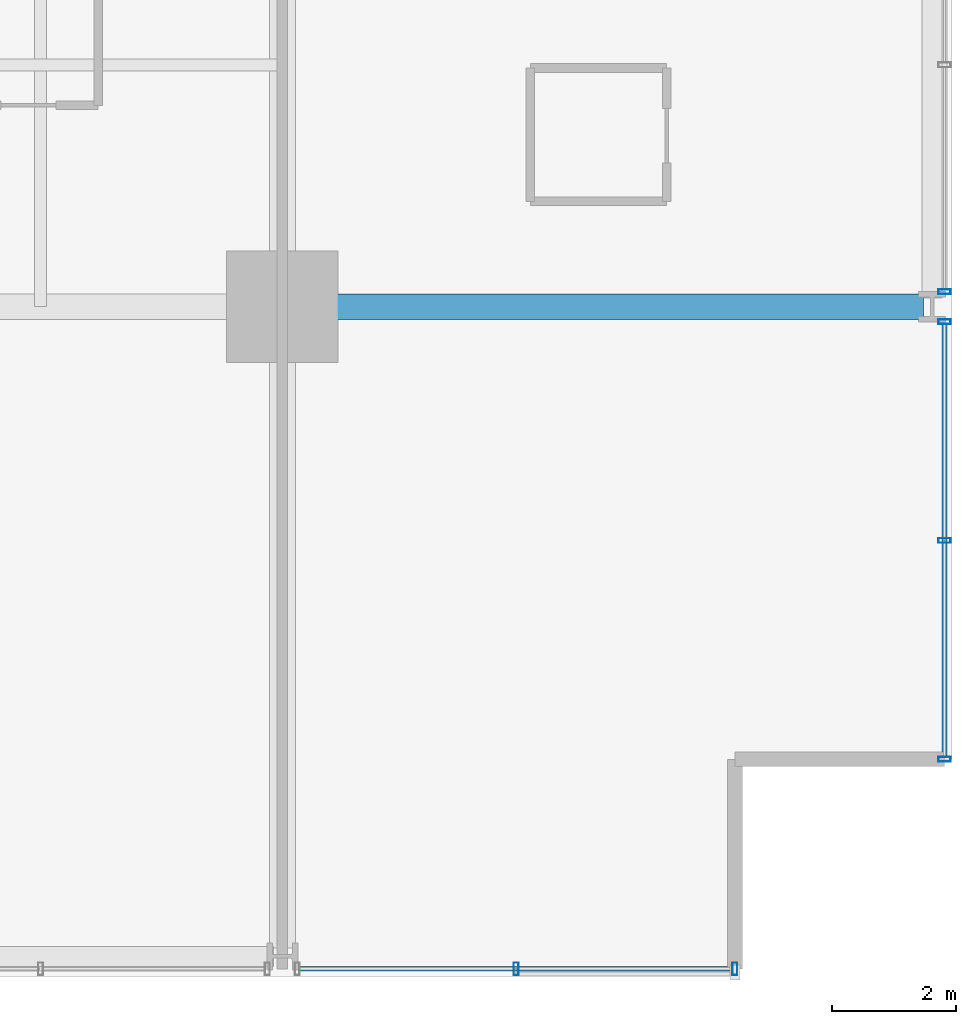
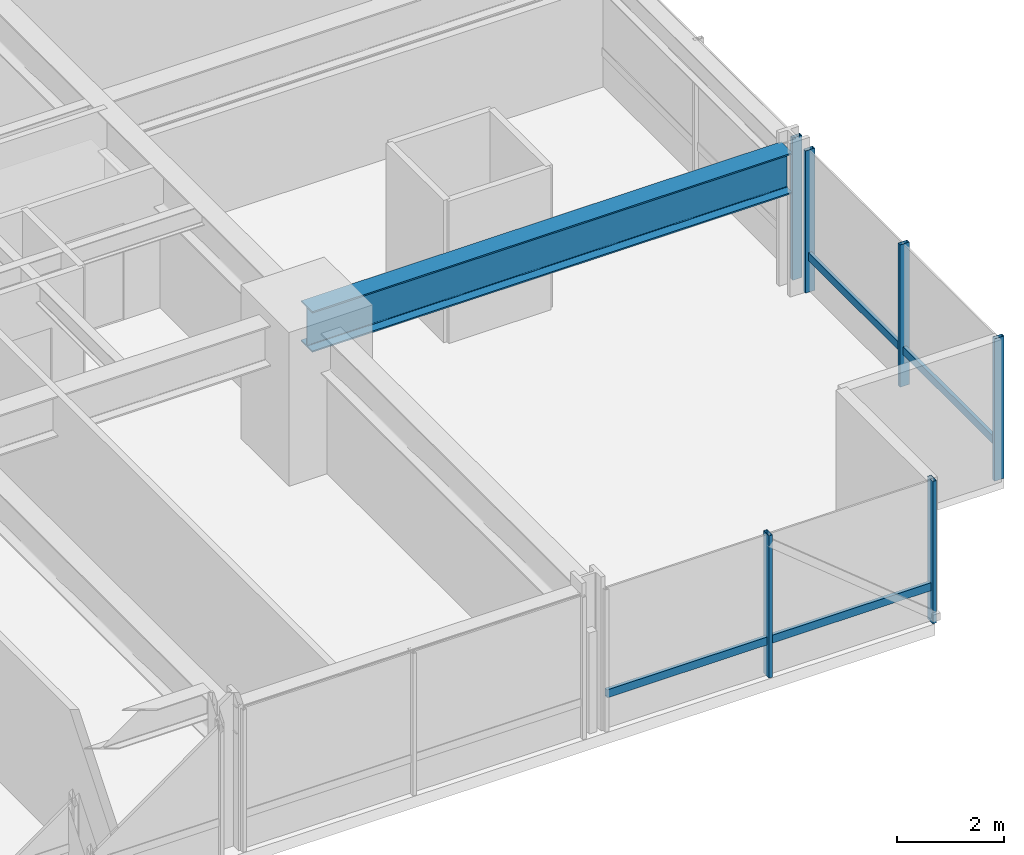
# One storey, part 13 of 39: 8 members, 1 beam, 3 elements without a shape of their own.
"""IFC4 building model written with IfcOpenShell, lengths in metres."""

from ifc_helpers import new_model, si_unit, direction, frame, origin, origin_2d, place, context, subcontext, project, spatial, hollow_rectangle, i_section, extrude, material, layer, layer_set, material_profile, profile_set, type_object, element, aggregate, save


model = new_model("IFC4")

# Units and contexts
model_context = context("Model", 3, precision=1e-05, world=origin(), true_north=direction((0.0, 1.0)))
body_context = subcontext(model_context, "Body", "Model", "MODEL_VIEW")
ifc_project = project(units=[si_unit("LENGTHUNIT", "METRE"), si_unit("AREAUNIT", "SQUARE_METRE"), si_unit("VOLUMEUNIT", "CUBIC_METRE"), si_unit("PLANEANGLEUNIT", "RADIAN"), si_unit("MASSUNIT", "GRAM", prefix="KILO")], contexts=[model_context])

# Site, building, storey
site_placement = place(None, origin())
site = spatial("IfcSite", under=ifc_project, at=site_placement, CompositionType="ELEMENT")
building_placement = place(site_placement, origin())
building = spatial("IfcBuilding", under=site, at=building_placement, Name="Drelvath Grand Hotel", CompositionType="ELEMENT")
storey_placement = place(building_placement, frame((0.0, 0.0, 40.199951171875)))
storey = spatial("IfcBuildingStorey", under=building, at=storey_placement, Name="L08", CompositionType="ELEMENT", Elevation=40.199951171875)

# Curtain wall, member
ifc_material_1 = material(Name="Warm Bronze Anodised Aluminium Frame", Category="aluminium")
ifc_layer = layer(ifc_material_1, 0.199951171875)
ifc_layer_set = layer_set([ifc_layer], Name="Warm Bronze Anodised Aluminium Frame")
curtain_wall_type = type_object("IfcCurtainWallType", Name="Stick Curtain Wall CW-02 Warm Bronze Low-Rise", PredefinedType="NOTDEFINED", material=ifc_layer_set)
curtain_wall_1_placement = place(storey_placement, origin())
curtain_wall_1 = element("IfcCurtainWall", 1, at=curtain_wall_1_placement, inside=storey, type_object=curtain_wall_type, Name="L08 CW-02 Curtain Wall CW02-L08-ES1", PredefinedType="NOTDEFINED")
ifc_material_profile_1 = material_profile(ifc_material_1, hollow_rectangle(XDim=0.074951171875, YDim=0.179931640625, WallThickness=0.0048828125, at=origin_2d()), Name="HSS180X75X5")
ifc_profile_set_1 = profile_set([ifc_material_profile_1], Name="Warm Bronze Anodised Aluminium Frame")
member_type_1 = type_object("IfcMemberType", Name="Curtain Wall Horizontal Transom CW-02 HSS180X75X5", PredefinedType="USERDEFINED", material=ifc_profile_set_1)
member_1_placement = place(storey_placement, frame((26.8798828125, 10.51904296875, 0.81005859375), z_axis=(0.0, -1.0, 0.0), x_axis=(1.0, 0.0, 0.0)))
member_1 = element("IfcMember", 2, at=member_1_placement, type_object=member_type_1, Name="CW02-L08-ES1 Sill Transom", ObjectType="TRANSOM", PredefinedType="USERDEFINED", context=body_context, shape_type="SweptSolid", body=[
    extrude(hollow_rectangle(XDim=0.074951171875, YDim=0.179931640625, WallThickness=0.0048828125, at=origin_2d()), origin(), (0.0, 0.0, 1.0), 6.97900390625),
])

curtain_wall_2_placement = place(storey_placement, origin())
curtain_wall_2 = element("IfcCurtainWall", 3, at=curtain_wall_2_placement, inside=storey, type_object=curtain_wall_type, Name="L08 CW-02 Curtain Wall CW02-L08-SE3", PredefinedType="NOTDEFINED")
member_2_placement = place(storey_placement, frame((23.4599609375, 0.1201171875, 0.81005859375), z_axis=(-1.0, 0.0, 0.0), x_axis=(0.0, -1.0, 0.0)))
member_2 = element("IfcMember", 4, at=member_2_placement, type_object=member_type_1, Name="CW02-L08-SE3 Sill Transom", ObjectType="TRANSOM", PredefinedType="USERDEFINED", context=body_context, shape_type="SweptSolid", body=[
    extrude(hollow_rectangle(XDim=0.074951171875, YDim=0.179931640625, WallThickness=0.0048828125, at=origin_2d()), origin(), (0.0, 0.0, 1.0), 6.97900390625),
])

# Member
ifc_material_profile_2 = material_profile(ifc_material_1, hollow_rectangle(XDim=0.080078125, YDim=0.199951171875, WallThickness=0.0048828125, at=origin_2d()), Name="HSS200X80X5")
ifc_profile_set_2 = profile_set([ifc_material_profile_2], Name="Warm Bronze Anodised Aluminium Frame")
member_type_2 = type_object("IfcMemberType", Name="Curtain Wall Vertical Mullion CW-02 HSS200X80X5", PredefinedType="MULLION", material=ifc_profile_set_2)
member_3_placement = place(storey_placement, frame((26.8798828125, 10.55908203125, 0.0), z_axis=(0.0, 0.0, 1.0), x_axis=(0.0, 1.0, 0.0)))
member_3 = element("IfcMember", 5, at=member_3_placement, type_object=member_type_2, Name="CW02-L08-ES1 Mullion 1", PredefinedType="MULLION", context=body_context, shape_type="SweptSolid", body=[
    extrude(hollow_rectangle(XDim=0.080078125, YDim=0.199951171875, WallThickness=0.0048828125, at=origin_2d()), origin(), (0.0, 0.0, 1.0), 3.239990234375),
])

member_4_placement = place(storey_placement, frame((26.8798828125, 7.029541015625, 0.0), z_axis=(0.0, 0.0, 1.0), x_axis=(0.0, 1.0, 0.0)))
member_4 = element("IfcMember", 6, at=member_4_placement, type_object=member_type_2, Name="CW02-L08-ES1 Mullion 2", PredefinedType="MULLION", context=body_context, shape_type="SweptSolid", body=[
    extrude(hollow_rectangle(XDim=0.080078125, YDim=0.199951171875, WallThickness=0.0048828125, at=origin_2d()), origin(), (0.0, 0.0, 1.0), 3.239990234375),
])

member_5_placement = place(storey_placement, frame((26.8798828125, 3.5, 0.0), z_axis=(0.0, 0.0, 1.0), x_axis=(0.0, 1.0, 0.0)))
member_5 = element("IfcMember", 7, at=member_5_placement, type_object=member_type_2, Name="CW02-L08-ES1 Mullion 3", PredefinedType="MULLION", context=body_context, shape_type="SweptSolid", body=[
    extrude(hollow_rectangle(XDim=0.080078125, YDim=0.199951171875, WallThickness=0.0048828125, at=origin_2d()), origin(), (0.0, 0.0, 1.0), 3.239990234375),
])

aggregate(curtain_wall_1, [member_3, member_4, member_5, member_1])

# Curtain wall, member
curtain_wall_3_placement = place(storey_placement, origin())
curtain_wall_3 = element("IfcCurtainWall", 8, at=curtain_wall_3_placement, inside=storey, type_object=curtain_wall_type, Name="L08 CW-02 Curtain Wall CW02-L08-ES2", PredefinedType="NOTDEFINED")
member_6_placement = place(storey_placement, frame((26.8798828125, 11.041015625, 0.0), z_axis=(0.0, 0.0, 1.0), x_axis=(0.0, 1.0, 0.0)))
member_6 = element("IfcMember", 9, at=member_6_placement, type_object=member_type_2, Name="CW02-L08-ES2 Mullion 3", PredefinedType="MULLION", context=body_context, shape_type="SweptSolid", body=[
    extrude(hollow_rectangle(XDim=0.080078125, YDim=0.199951171875, WallThickness=0.0048828125, at=origin_2d()), origin(), (0.0, 0.0, 1.0), 3.239990234375),
])
aggregate(curtain_wall_3, [member_6])

# Member
member_7_placement = place(storey_placement, frame((23.5, 0.1201171875, 0.0), z_axis=(0.0, 0.0, 1.0), x_axis=(1.0, 0.0, 0.0)))
member_7 = element("IfcMember", 10, at=member_7_placement, type_object=member_type_2, Name="CW02-L08-SE3 Mullion 1", PredefinedType="MULLION", context=body_context, shape_type="SweptSolid", body=[
    extrude(hollow_rectangle(XDim=0.080078125, YDim=0.199951171875, WallThickness=0.0048828125, at=origin_2d()), origin(), (0.0, 0.0, 1.0), 3.239990234375),
])

member_8_placement = place(storey_placement, frame((19.970458984375, 0.1201171875, 0.0), z_axis=(0.0, 0.0, 1.0), x_axis=(1.0, 0.0, 0.0)))
member_8 = element("IfcMember", 11, at=member_8_placement, type_object=member_type_2, Name="CW02-L08-SE3 Mullion 2", PredefinedType="MULLION", context=body_context, shape_type="SweptSolid", body=[
    extrude(hollow_rectangle(XDim=0.080078125, YDim=0.199951171875, WallThickness=0.0048828125, at=origin_2d()), origin(), (0.0, 0.0, 1.0), 3.239990234375),
])

aggregate(curtain_wall_2, [member_7, member_8, member_2])

# Beam
ifc_material_2 = material(Name="Steel ASTM A992 Gr 50", Category="steel")
ifc_material_profile_3 = material_profile(ifc_material_2, i_section(OverallWidth=0.418212890625, OverallDepth=0.926513671875, WebThickness=0.019287109375, FlangeThickness=0.031982421875, FilletRadius=0.028076171875, at=origin_2d()), Name="W36X231")
ifc_profile_set_3 = profile_set([ifc_material_profile_3], Name="Steel ASTM A992 Gr 50")
beam_type = type_object("IfcBeamType", Name="Primary Floor Girder W36X231", PredefinedType="BEAM", material=ifc_profile_set_3)
beam_placement = place(storey_placement, frame((16.199951171875, 10.800048828125, 2.77685546875), z_axis=(1.0, 0.0, 0.0), x_axis=(0.0, 1.0, 0.0)))
element("IfcBeam", 12, at=beam_placement, inside=storey, type_object=beam_type, Name="L08 East Grid Girder C", PredefinedType="BEAM", context=body_context, shape_type="SweptSolid", body=[
    extrude(i_section(OverallWidth=0.418212890625, OverallDepth=0.926513671875, WebThickness=0.019287109375, FlangeThickness=0.031982421875, FilletRadius=0.028076171875, at=origin_2d()), origin(), (0.0, 0.0, 1.0), 10.340087890625),
])

save(model, "model.ifc")
